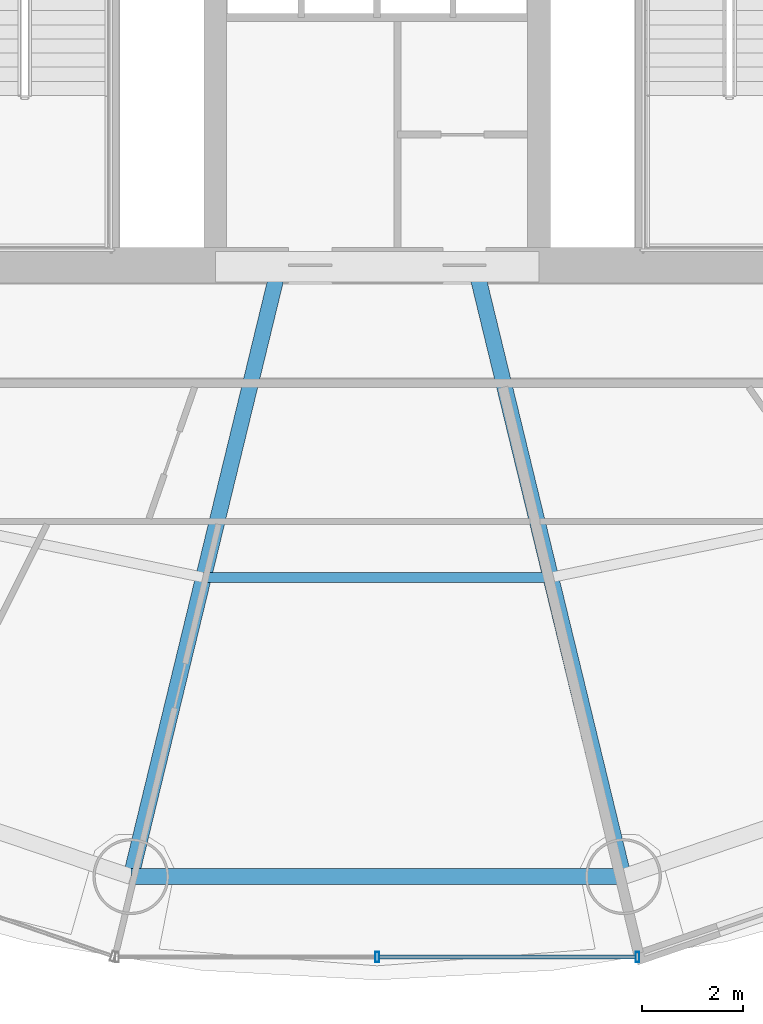
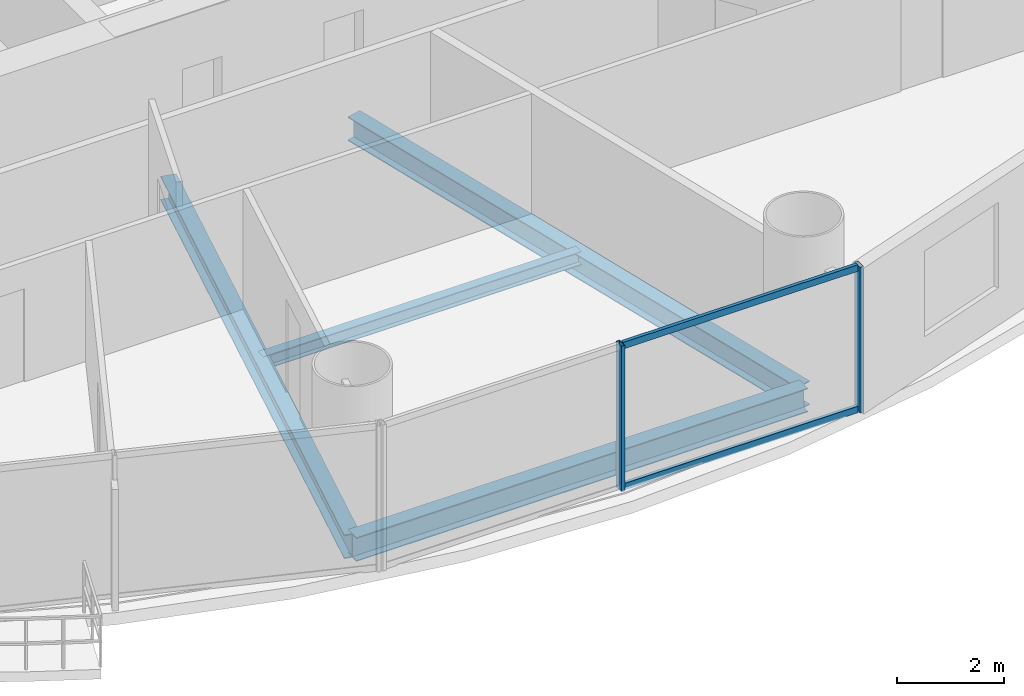
# One storey, part 5 of 29: 4 beams, 4 members, 1 element without a shape of its own.
"""IFC4 building model written with IfcOpenShell, lengths in metres."""

from ifc_helpers import new_model, si_unit, direction, frame, origin, origin_2d, place, context, subcontext, project, spatial, hollow_rectangle, i_section, extrude, source, transform, mapped, material, material_profile, profile_set, type_object, element, aggregate, save


model = new_model("IFC4")

# Units and contexts
model_context = context("Model", 3, precision=1e-05, world=origin(), true_north=direction((-0.2419218956, 0.970295726276)))
body_context = subcontext(model_context, "Body", "Model", "MODEL_VIEW")
ifc_project = project(units=[si_unit("LENGTHUNIT", "METRE"), si_unit("AREAUNIT", "SQUARE_METRE"), si_unit("VOLUMEUNIT", "CUBIC_METRE"), si_unit("PLANEANGLEUNIT", "RADIAN"), si_unit("MASSUNIT", "GRAM", prefix="KILO")], contexts=[model_context])

# Site, building, storey
site_placement = place(None, origin())
site = spatial("IfcSite", under=ifc_project, at=site_placement, CompositionType="ELEMENT")
building_placement = place(site_placement, origin())
building = spatial("IfcBuilding", under=site, at=building_placement, Name="Cobrevalo Terracotta Tower", CompositionType="ELEMENT")
storey_placement = place(building_placement, frame((0.0, 0.0, 79.800048828125)))
storey = spatial("IfcBuildingStorey", under=building, at=storey_placement, Name="L20", CompositionType="ELEMENT", Elevation=79.800048828125)

# Beams
ifc_material_1 = material(Name="Steel S355", Category="steel")
ifc_material_profile_1 = material_profile(ifc_material_1, i_section(OverallWidth=0.31201171875, OverallDepth=0.54296875, WebThickness=0.0126953125, FlangeThickness=0.020263671875, at=origin_2d()), Name="W 530x150")
ifc_profile_set_1 = profile_set([ifc_material_profile_1], Name="Steel S355")
beam_type_1 = type_object("IfcBeamType", Name="Structural Beam W 530x150 (Steel S355)", PredefinedType="BEAM", material=ifc_profile_set_1)
for number, where, z_axis, x_axis, name in (
    (1, (33.132568359375, 6.742919921875, -0.546630859375), (0.235827379387, 0.971794961467, 0.0), (-0.971794961467, 0.235827379387, 0.0), "L20 radial floor girder 12"),
    (2, (42.867431640625, 6.742919921875, -0.546630859375), (-0.235827379387, 0.971794961467, 0.0), (-0.971794961467, -0.235827379387, 0.0), "L20 radial floor girder 13"),
):
    element("IfcBeam", number, at=place(storey_placement, frame(where, z_axis=z_axis, x_axis=x_axis)), inside=storey, type_object=beam_type_1, Name=name, PredefinedType="BEAM", context=body_context, shape_type="SweptSolid", body=[
        extrude(i_section(OverallWidth=0.31201171875, OverallDepth=0.54296875, WebThickness=0.0126953125, FlangeThickness=0.020263671875, at=origin_2d()), origin(), (0.0, 0.0, 1.0), 12.17041015625),
    ])
ifc_material_profile_2 = material_profile(ifc_material_1, i_section(OverallWidth=0.2041015625, OverallDepth=0.305908203125, WebThickness=0.008544921875, FlangeThickness=0.0146484375, at=origin_2d()), Name="W 310x67")
ifc_profile_set_2 = profile_set([ifc_material_profile_2], Name="Steel S355")
beam_type_2 = type_object("IfcBeamType", Name="Structural Joist W 310x67 (Steel S355)", PredefinedType="JOIST", material=ifc_profile_set_2)
beam_1_placement = place(storey_placement, frame((34.567626953125, 12.656494140625, -0.427978515625), z_axis=(1.0, 0.0, 0.0), x_axis=(0.0, 1.0, 0.0)))
element("IfcBeam", 3, at=beam_1_placement, inside=storey, type_object=beam_type_2, Name="L20 circumferential secondary floor joist 12", PredefinedType="JOIST", context=body_context, shape_type="SweptSolid", body=[
    extrude(i_section(OverallWidth=0.2041015625, OverallDepth=0.305908203125, WebThickness=0.008544921875, FlangeThickness=0.0146484375, at=origin_2d()), origin(), (0.0, 0.0, 1.0), 6.86474609375),
])
ifc_material_profile_3 = material_profile(ifc_material_1, i_section(OverallWidth=0.31201171875, OverallDepth=0.54296875, WebThickness=0.0126953125, FlangeThickness=0.020263671875, at=origin_2d()), Name="W 530x150")
ifc_profile_set_3 = profile_set([ifc_material_profile_3], Name="Steel S355")
beam_type_3 = type_object("IfcBeamType", Name="Structural Spandrel W 530x150 (Steel S355)", PredefinedType="SPANDREL", material=ifc_profile_set_3)
beam_2_placement = place(storey_placement, frame((33.132568359375, 6.742919921875, -0.546630859375), z_axis=(1.0, 0.0, 0.0), x_axis=(0.0, 1.0, 0.0)))
element("IfcBeam", 4, at=beam_2_placement, inside=storey, type_object=beam_type_3, Name="L20 perimeter ring spandrel 12", PredefinedType="SPANDREL", context=body_context, shape_type="SweptSolid", body=[
    extrude(i_section(OverallWidth=0.31201171875, OverallDepth=0.54296875, WebThickness=0.0126953125, FlangeThickness=0.020263671875, at=origin_2d()), origin(), (0.0, 0.0, 1.0), 9.73486328125),
])

# Curtain wall, members
ifc_material_2 = material(Name="Anodized aluminium", Category="aluminium")
curtain_wall_type = type_object("IfcCurtainWallType", Name="Lower-tower unitised acoustic low-E curtain wall CW-U1", PredefinedType="NOTDEFINED", material=ifc_material_2)
curtain_wall_placement = place(storey_placement, origin())
curtain_wall = element("IfcCurtainWall", 5, at=curtain_wall_placement, inside=storey, type_object=curtain_wall_type, Name="L20 curtain wall CW-L20-S12", PredefinedType="NOTDEFINED")
ifc_material_profile_4 = material_profile(ifc_material_2, hollow_rectangle(XDim=0.074951171875, YDim=0.199951171875, WallThickness=0.0048828125, at=origin_2d()), Name="CWM 75x200")
ifc_profile_set_4 = profile_set([ifc_material_profile_4], Name="Anodized aluminium")
member_type_1 = type_object("IfcMemberType", Name="Lower/mid tower unitised mullion 75x200", PredefinedType="MULLION", material=ifc_profile_set_4)
shared_shape_1 = source(origin(), body_context, "Body", "SweptSolid", [
    extrude(hollow_rectangle(XDim=0.074951171875, YDim=0.199951171875, WallThickness=0.0048828125, at=origin_2d()), origin(), (0.0, 0.0, 1.0), 3.324951171875),
])
member_1_placement = place(storey_placement, frame((38.0, 5.154052734375, 0.0), z_axis=(0.0, 0.0, 1.0), x_axis=(1.0, 0.0, 0.0)))
member_1 = element("IfcMember", 6, at=member_1_placement, type_object=member_type_1, Name="CW-L20-S12 vertical mullion 02", PredefinedType="MULLION", context=body_context, shape_type="MappedRepresentation", body=[
    mapped(shared_shape_1, transform((0.0, 0.0, 0.0), scale=1.0)),
])
member_2_placement = place(storey_placement, frame((43.1435546875, 5.154052734375, 0.0), z_axis=(0.0, 0.0, 1.0), x_axis=(1.0, 0.0, 0.0)))
member_2 = element("IfcMember", 7, at=member_2_placement, type_object=member_type_1, Name="CW-L20-S12 vertical mullion 03", PredefinedType="MULLION", context=body_context, shape_type="MappedRepresentation", body=[
    mapped(shared_shape_1, transform((0.0, 0.0, 0.0), scale=1.0)),
])
ifc_material_profile_5 = material_profile(ifc_material_2, hollow_rectangle(XDim=0.074951171875, YDim=0.14990234375, WallThickness=0.00439453125, at=origin_2d()), Name="CWT 75x150")
ifc_profile_set_5 = profile_set([ifc_material_profile_5], Name="Anodized aluminium")
member_type_2 = type_object("IfcMemberType", Name="Tower unitised aluminium transom 75x150", PredefinedType="USERDEFINED", material=ifc_profile_set_5)
shared_shape_2 = source(origin(), body_context, "Body", "SweptSolid", [
    extrude(hollow_rectangle(XDim=0.074951171875, YDim=0.14990234375, WallThickness=0.00439453125, at=origin_2d()), origin(), (0.0, 0.0, 1.0), 5.0634765625),
])
member_3_placement = place(storey_placement, frame((38.0400390625, 5.154052734375, 0.050048828125), z_axis=(1.0, 0.0, 0.0), x_axis=(0.0, 1.0, 0.0)))
member_3 = element("IfcMember", 8, at=member_3_placement, type_object=member_type_2, Name="CW-L20-S12 transom B02-T1", ObjectType="TRANSOM", PredefinedType="USERDEFINED", context=body_context, shape_type="MappedRepresentation", body=[
    mapped(shared_shape_2, transform((0.0, 0.0, 0.0), scale=1.0)),
])
member_4_placement = place(storey_placement, frame((38.0400390625, 5.154052734375, 3.27490234375), z_axis=(1.0, 0.0, 0.0), x_axis=(0.0, 1.0, 0.0)))
member_4 = element("IfcMember", 9, at=member_4_placement, type_object=member_type_2, Name="CW-L20-S12 transom B02-T2", ObjectType="TRANSOM", PredefinedType="USERDEFINED", context=body_context, shape_type="MappedRepresentation", body=[
    mapped(shared_shape_2, transform((0.0, 0.0, 0.0), scale=1.0)),
])
aggregate(curtain_wall, [member_1, member_2, member_3, member_4])

save(model, "model.ifc")
